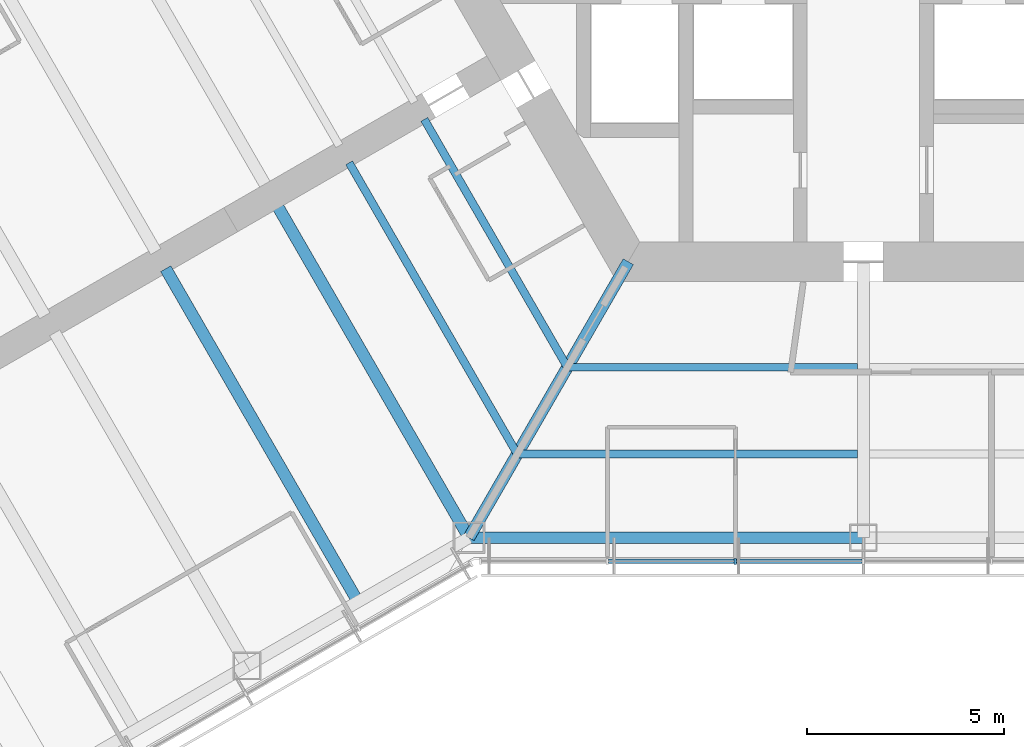
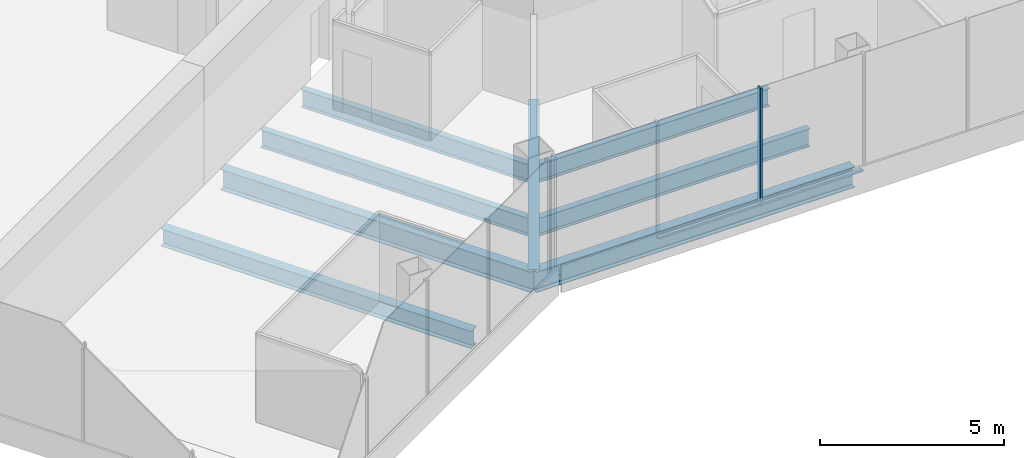
# One storey, part 3 of 18: 8 beams, 3 members, 1 element without a shape of its own.
"""IFC4 building model written with IfcOpenShell, lengths in metres."""

from ifc_helpers import new_model, si_unit, direction, frame, origin, origin_2d, place, context, subcontext, project, spatial, rectangle, i_section, extrude, material, material_profile, profile_set, type_object, element, aggregate, save


model = new_model("IFC4")

# Units and contexts
model_context = context("Model", 3, precision=1e-05, world=origin(), true_north=direction((0.0, 1.0)))
body_context = subcontext(model_context, "Body", "Model", "MODEL_VIEW")
ifc_project = project(units=[si_unit("LENGTHUNIT", "METRE"), si_unit("AREAUNIT", "SQUARE_METRE"), si_unit("VOLUMEUNIT", "CUBIC_METRE"), si_unit("PLANEANGLEUNIT", "RADIAN"), si_unit("MASSUNIT", "GRAM", prefix="KILO")], contexts=[model_context])

# Site, building, storey
site_placement = place(None, origin())
site = spatial("IfcSite", under=ifc_project, at=site_placement, CompositionType="ELEMENT")
building_placement = place(site_placement, origin())
building = spatial("IfcBuilding", under=site, at=building_placement, Name="Kasaneha Research Tower", CompositionType="ELEMENT")
storey_placement = place(building_placement, frame((0.0, 0.0, 172.10009765625)))
storey = spatial("IfcBuildingStorey", under=building, at=storey_placement, Name="L43", CompositionType="ELEMENT", Elevation=172.10009765625)

# Beams
ifc_material_1 = material(Name="Steel SN490B", Category="steel")
ifc_material_profile_1 = material_profile(ifc_material_1, i_section(OverallWidth=0.199951171875, OverallDepth=0.60009765625, WebThickness=0.010986328125, FlangeThickness=0.01708984375, FilletRadius=0.012939453125, at=origin_2d()), Name="H-600x200x11x17")
ifc_profile_set_1 = profile_set([ifc_material_profile_1], Name="Steel SN490B")
beam_type_1 = type_object("IfcBeamType", Name="B1-3 secondary beam H-600x200x11x17", PredefinedType="JOIST", material=ifc_profile_set_1)
beam_1_placement = place(storey_placement, frame((-7.505615234375, -13.0, -0.4501953125), z_axis=(-0.499993340521, 0.866029248602, 0.0), x_axis=(-0.866029248602, -0.499993340521, 0.0)))
element("IfcBeam", 1, at=beam_1_placement, inside=storey, type_object=beam_type_1, Name="Secondary beam RS210R1 L43", PredefinedType="JOIST", context=body_context, shape_type="SweptSolid", body=[
    extrude(i_section(OverallWidth=0.199951171875, OverallDepth=0.60009765625, WebThickness=0.010986328125, FlangeThickness=0.01708984375, FilletRadius=0.012939453125, at=origin_2d()), origin(), (0.0, 0.0, 1.0), 7.25537109375),
])
beam_2_placement = place(storey_placement, frame((-8.775634765625, -15.199951171875, -0.4501953125), z_axis=(-0.500004205306, 0.866022975836, 0.0), x_axis=(-0.866022975836, -0.500004205306, 0.0)))
element("IfcBeam", 2, at=beam_2_placement, inside=storey, type_object=beam_type_1, Name="Secondary beam RS210R2 L43", PredefinedType="JOIST", context=body_context, shape_type="SweptSolid", body=[
    extrude(i_section(OverallWidth=0.199951171875, OverallDepth=0.60009765625, WebThickness=0.010986328125, FlangeThickness=0.01708984375, FilletRadius=0.012939453125, at=origin_2d()), origin(), (0.0, 0.0, 1.0), 8.52587890625),
])
beam_3_placement = place(storey_placement, frame((-7.505615234375, -13.0, -0.4501953125), z_axis=(1.0, 0.0, 0.0), x_axis=(0.0, 1.0, 0.0)))
element("IfcBeam", 3, at=beam_3_placement, inside=storey, type_object=beam_type_1, Name="Secondary beam RS270L1 L43", PredefinedType="JOIST", context=body_context, shape_type="SweptSolid", body=[
    extrude(i_section(OverallWidth=0.199951171875, OverallDepth=0.60009765625, WebThickness=0.010986328125, FlangeThickness=0.01708984375, FilletRadius=0.012939453125, at=origin_2d()), origin(), (0.0, 0.0, 1.0), 7.355712890625),
])
beam_4_placement = place(storey_placement, frame((-8.775634765625, -15.199951171875, -0.4501953125), z_axis=(1.0, 0.0, 0.0), x_axis=(0.0, 1.0, 0.0)))
element("IfcBeam", 4, at=beam_4_placement, inside=storey, type_object=beam_type_1, Name="Secondary beam RS270L2 L43", PredefinedType="JOIST", context=body_context, shape_type="SweptSolid", body=[
    extrude(i_section(OverallWidth=0.199951171875, OverallDepth=0.60009765625, WebThickness=0.010986328125, FlangeThickness=0.01708984375, FilletRadius=0.012939453125, at=origin_2d()), origin(), (0.0, 0.0, 1.0), 8.625732421875),
])
ifc_material_2 = material(Name="Steel SN490B", Category="steel")
ifc_material_profile_2 = material_profile(ifc_material_2, i_section(OverallWidth=0.300048828125, OverallDepth=0.58203125, WebThickness=0.011962890625, FlangeThickness=0.01708984375, FilletRadius=0.012939453125, at=origin_2d()), Name="H-582x300x12x17")
ifc_profile_set_2 = profile_set([ifc_material_profile_2], Name="Steel SN490B")
beam_type_2 = type_object("IfcBeamType", Name="B2-3 secondary beam H-582x300x12x17", PredefinedType="JOIST", material=ifc_profile_set_2)
beam_5_placement = place(storey_placement, frame((-12.814697265625, -18.945556640625, -0.441162109375), z_axis=(-0.499995560238, 0.866027967067, 0.0), x_axis=(-0.866027967067, -0.499995560238, 0.0)))
element("IfcBeam", 5, at=beam_5_placement, inside=storey, type_object=beam_type_2, Name="Secondary beam WBBN1 L43", PredefinedType="JOIST", context=body_context, shape_type="SweptSolid", body=[
    extrude(i_section(OverallWidth=0.300048828125, OverallDepth=0.58203125, WebThickness=0.011962890625, FlangeThickness=0.01708984375, FilletRadius=0.012939453125, at=origin_2d()), origin(), (0.0, 0.0, 1.0), 9.75),
])

# Curtain wall, members
ifc_material_3 = material(Name="Glass and aluminium", Category="aluminium")
curtain_wall_type = type_object("IfcCurtainWallType", Name="Mid-rise office curtain wall", PredefinedType="USERDEFINED", material=ifc_material_3)
curtain_wall_placement = place(storey_placement, origin())
curtain_wall = element("IfcCurtainWall", 6, at=curtain_wall_placement, inside=storey, type_object=curtain_wall_type, Name="CW-O2 L43 run 01a", ObjectType="UNITISED CURTAIN WALL", PredefinedType="USERDEFINED")
ifc_material_4 = material(Name="Aluminium 6063-T6", Category="aluminium")
ifc_material_profile_3 = material_profile(ifc_material_4, rectangle(XDim=0.06005859375, YDim=0.14990234375, at=origin_2d()), Name="CW-O2 mullion 60x150")
ifc_profile_set_3 = profile_set([ifc_material_profile_3], Name="Aluminium 6063-T6")
member_type_1 = type_object("IfcMemberType", Name="CW-O2 mullion", PredefinedType="MULLION", material=ifc_profile_set_3)
member_1_placement = place(storey_placement, frame((-3.246337890625, -17.92041015625, 0.0), z_axis=(0.0, 0.0, 1.0), x_axis=(1.0, 0.0, 0.0)))
member_1 = element("IfcMember", 7, at=member_1_placement, type_object=member_type_1, Name="CW-O2 mullion 3", PredefinedType="MULLION", context=body_context, shape_type="SweptSolid", body=[
    extrude(rectangle(XDim=0.06005859375, YDim=0.14990234375, at=origin_2d()), origin(), (0.0, 0.0, 1.0), 3.89990234375),
])
ifc_material_5 = material(Name="Aluminium 6063-T6", Category="aluminium")
ifc_material_profile_4 = material_profile(ifc_material_5, rectangle(XDim=0.110107421875, YDim=0.06005859375, at=origin_2d()), Name="CW-O2 transom 110x60")
ifc_profile_set_4 = profile_set([ifc_material_profile_4], Name="Aluminium 6063-T6")
member_type_2 = type_object("IfcMemberType", Name="CW-O2 transom", PredefinedType="USERDEFINED", material=ifc_profile_set_4)
member_2_placement = place(storey_placement, frame((-6.462890625, -17.92041015625, 0.02978515625), z_axis=(1.0, 0.0, 0.0), x_axis=(0.0, 1.0, 0.0)))
member_2 = element("IfcMember", 8, at=member_2_placement, type_object=member_type_2, Name="CW-O2 transom 2", ObjectType="TRANSOM", PredefinedType="USERDEFINED", context=body_context, shape_type="SweptSolid", body=[
    extrude(rectangle(XDim=0.110107421875, YDim=0.06005859375, at=origin_2d()), origin(), (0.0, 0.0, 1.0), 3.1865234375),
])
member_3_placement = place(storey_placement, frame((-3.21630859375, -17.92041015625, 0.02978515625), z_axis=(1.0, 0.0, 0.0), x_axis=(0.0, 1.0, 0.0)))
member_3 = element("IfcMember", 9, at=member_3_placement, type_object=member_type_2, Name="CW-O2 transom 3", ObjectType="TRANSOM", PredefinedType="USERDEFINED", context=body_context, shape_type="SweptSolid", body=[
    extrude(rectangle(XDim=0.110107421875, YDim=0.06005859375, at=origin_2d()), origin(), (0.0, 0.0, 1.0), 3.186279296875),
])
aggregate(curtain_wall, [member_1, member_2, member_3])

# Beams
ifc_material_6 = material(Name="Steel SN490B", Category="steel")
ifc_material_profile_5 = material_profile(ifc_material_6, i_section(OverallWidth=0.300048828125, OverallDepth=0.699951171875, WebThickness=0.012939453125, FlangeThickness=0.02392578125, FilletRadius=0.01806640625, at=origin_2d()), Name="H-700x300x13x24")
ifc_profile_set_5 = profile_set([ifc_material_profile_5], Name="Steel SN490B")
beam_type_3 = type_object("IfcBeamType", Name="G1-3 radial girder H-700x300x13x24", PredefinedType="BEAM", material=ifc_profile_set_5)
beam_6_placement = place(storey_placement, frame((-5.961181640625, -10.324951171875, -0.5), z_axis=(-0.49999105496, -0.866030568144, 0.0), x_axis=(0.866030568144, -0.49999105496, 0.0)))
element("IfcBeam", 10, at=beam_6_placement, inside=storey, type_object=beam_type_3, Name="Radial girder RV240 L43", PredefinedType="BEAM", context=body_context, shape_type="SweptSolid", body=[
    extrude(i_section(OverallWidth=0.300048828125, OverallDepth=0.699951171875, WebThickness=0.012939453125, FlangeThickness=0.02392578125, FilletRadius=0.01806640625, at=origin_2d()), origin(), (0.0, 0.0, 1.0), 8.077880859375),
])
ifc_material_7 = material(Name="Steel SN490B", Category="steel")
ifc_material_profile_6 = material_profile(ifc_material_7, i_section(OverallWidth=0.300048828125, OverallDepth=0.69189453125, WebThickness=0.012939453125, FlangeThickness=0.02001953125, FilletRadius=0.01806640625, at=origin_2d()), Name="H-692x300x13x20")
ifc_profile_set_6 = profile_set([ifc_material_profile_6], Name="Steel SN490B")
beam_type_4 = type_object("IfcBeamType", Name="G3-3 plate edge girder H-692x300x13x20", PredefinedType="BEAM", material=ifc_profile_set_6)
beam_7_placement = place(storey_placement, frame((-10.0, -17.320556640625, -0.49609375), z_axis=(-0.499995560238, 0.866027967067, 0.0), x_axis=(-0.866027967067, -0.499995560238, 0.0)))
element("IfcBeam", 11, at=beam_7_placement, inside=storey, type_object=beam_type_4, Name="Plate edge girder PEBN L43", PredefinedType="BEAM", context=body_context, shape_type="SweptSolid", body=[
    extrude(i_section(OverallWidth=0.300048828125, OverallDepth=0.69189453125, WebThickness=0.012939453125, FlangeThickness=0.02001953125, FilletRadius=0.01806640625, at=origin_2d()), origin(), (0.0, 0.0, 1.0), 9.75),
])
ifc_material_8 = material(Name="Steel SN490B", Category="steel")
ifc_material_profile_7 = material_profile(ifc_material_8, i_section(OverallWidth=0.300048828125, OverallDepth=0.69189453125, WebThickness=0.012939453125, FlangeThickness=0.02001953125, FilletRadius=0.01806640625, at=origin_2d()), Name="H-692x300x13x20")
ifc_profile_set_7 = profile_set([ifc_material_profile_7], Name="Steel SN490B")
beam_type_5 = type_object("IfcBeamType", Name="SB1-3 spandrel beam H-692x300x13x20", PredefinedType="SPANDREL", material=ifc_profile_set_7)
beam_8_placement = place(storey_placement, frame((-10.0, -17.320556640625, -0.49609375), z_axis=(1.0, 0.0, 0.0), x_axis=(0.0, 1.0, 0.0)))
element("IfcBeam", 12, at=beam_8_placement, inside=storey, type_object=beam_type_5, Name="Spandrel beam SR270L L43", PredefinedType="SPANDREL", context=body_context, shape_type="SweptSolid", body=[
    extrude(i_section(OverallWidth=0.300048828125, OverallDepth=0.69189453125, WebThickness=0.012939453125, FlangeThickness=0.02001953125, FilletRadius=0.01806640625, at=origin_2d()), origin(), (0.0, 0.0, 1.0), 10.0),
])

save(model, "model.ifc")
